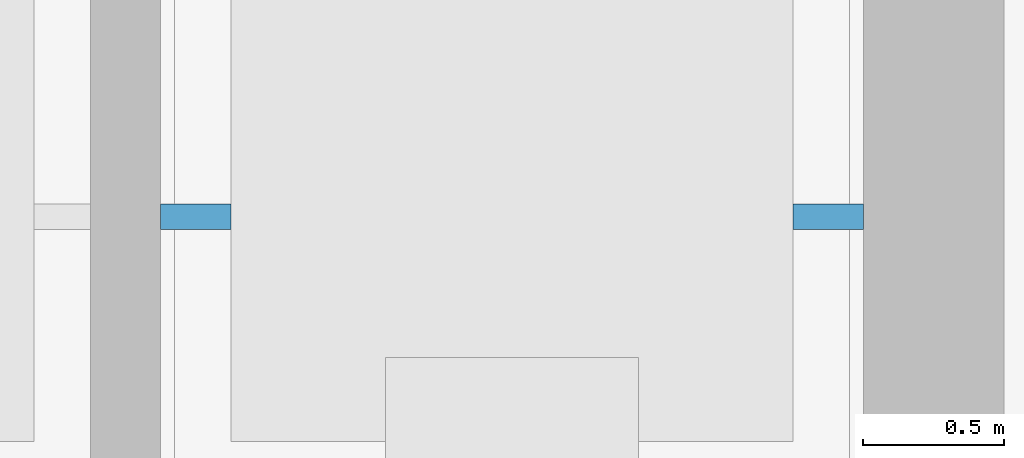
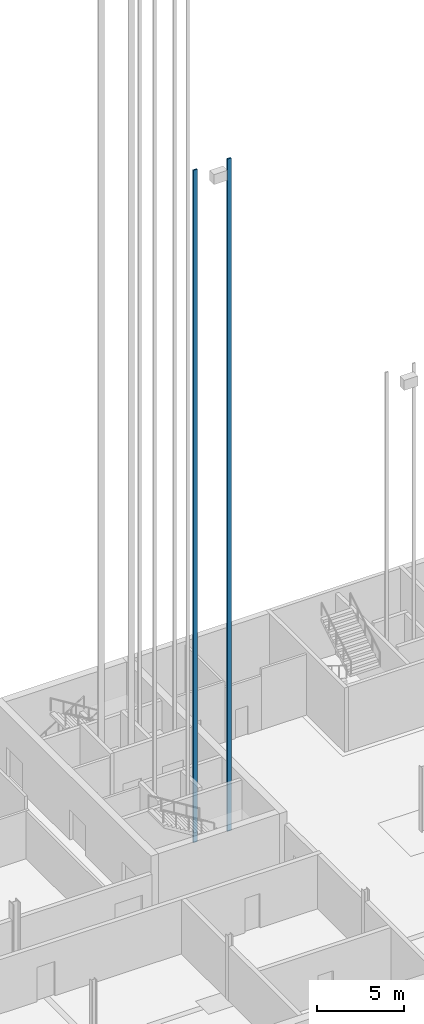
# One storey, part 29 of 41: 2 discrete accessories.
"""IFC4 building model written with IfcOpenShell, lengths in metres."""

from ifc_helpers import new_model, si_unit, direction, frame, origin, origin_2d, place, context, subcontext, project, spatial, rectangle, extrude, material, type_object, element, save


model = new_model("IFC4")

# Units and contexts
model_context = context("Model", 3, precision=1e-05, world=origin(), true_north=direction((0.0, 1.0)))
body_context = subcontext(model_context, "Body", "Model", "MODEL_VIEW")
ifc_project = project(units=[si_unit("LENGTHUNIT", "METRE"), si_unit("AREAUNIT", "SQUARE_METRE"), si_unit("VOLUMEUNIT", "CUBIC_METRE"), si_unit("PLANEANGLEUNIT", "RADIAN"), si_unit("MASSUNIT", "GRAM", prefix="KILO")], contexts=[model_context])

# Site, building, storey
site_placement = place(None, origin())
site = spatial("IfcSite", under=ifc_project, at=site_placement, CompositionType="ELEMENT")
building_placement = place(site_placement, origin())
building = spatial("IfcBuilding", under=site, at=building_placement, Name="Corbel Yard City Hall", CompositionType="ELEMENT")
storey_placement = place(building_placement, frame((0.0, 0.0, -4.5)))
storey = spatial("IfcBuildingStorey", under=building, at=storey_placement, Name="B1", CompositionType="ELEMENT", Elevation=-4.5)

# Discrete accessories
ifc_material = material(Name="Steel Grade G250", Category="steel")
discrete_accessory_type = type_object("IfcDiscreteAccessoryType", Name="LR1", PredefinedType="USERDEFINED", material=ifc_material)
for number, where, z_axis, x_axis, name in (
    (1, (51.125, 104.550048828125, 0.0), (0.0, 0.0, 1.0), (1.0, 0.0, 0.0), "Lift LP26 guide rail 1"),
    (2, (53.375, 104.550048828125, 0.0), (0.0, 0.0, 1.0), (1.0, 0.0, 0.0), "Lift LP26 guide rail 2"),
):
    element("IfcDiscreteAccessory", number, at=place(storey_placement, frame(where, z_axis=z_axis, x_axis=x_axis)), inside=storey, type_object=discrete_accessory_type, Name=name, ObjectType="GUIDE RAIL", PredefinedType="USERDEFINED", context=body_context, shape_type="SweptSolid", body=[
        extrude(rectangle(XDim=0.25, YDim=0.090087890625, at=origin_2d()), origin(), (0.0, 0.0, 1.0), 47.0),
    ])

save(model, "model.ifc")
